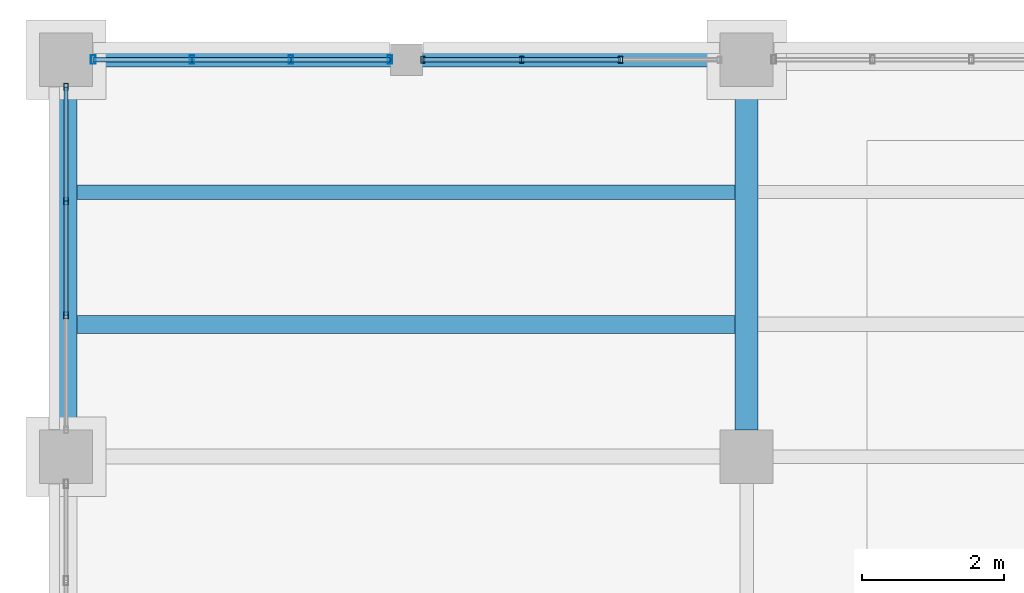
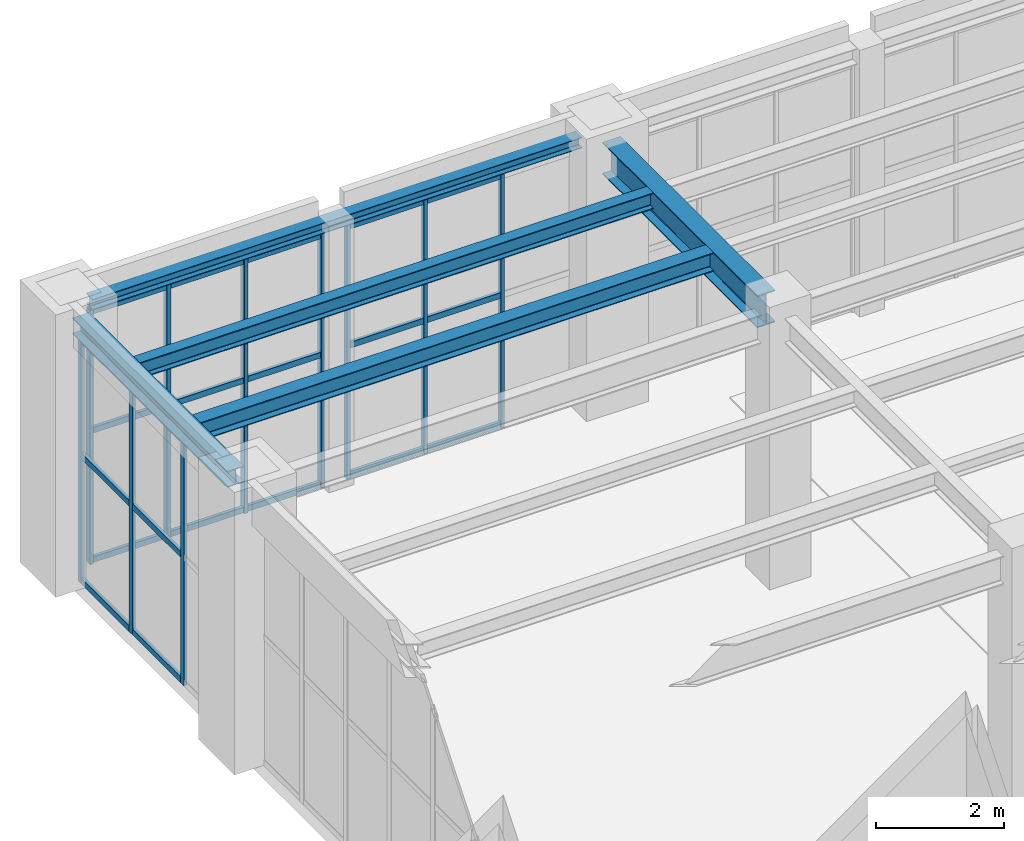
# One storey, part 75 of 164: 31 members, 5 beams, 3 elements without a shape of their own.
"""IFC4 building model written with IfcOpenShell, lengths in metres."""

from ifc_helpers import new_model, si_unit, direction, frame, origin, origin_2d, place, context, subcontext, project, spatial, hollow_rectangle, i_section, extrude, material, material_profile, profile_set, type_object, element, aggregate, save


model = new_model("IFC4")

# Units and contexts
model_context = context("Model", 3, precision=1e-05, world=origin(), true_north=direction((0.0, 1.0)))
body_context = subcontext(model_context, "Body", "Model", "MODEL_VIEW")
ifc_project = project(units=[si_unit("LENGTHUNIT", "METRE"), si_unit("AREAUNIT", "SQUARE_METRE"), si_unit("VOLUMEUNIT", "CUBIC_METRE"), si_unit("PLANEANGLEUNIT", "RADIAN"), si_unit("MASSUNIT", "GRAM", prefix="KILO")], contexts=[model_context])

# Site, building, storey
site_placement = place(None, origin())
site = spatial("IfcSite", under=ifc_project, at=site_placement, CompositionType="ELEMENT")
building_placement = place(site_placement, origin())
building = spatial("IfcBuilding", under=site, at=building_placement, Name="Mavantir Sound Aquarium", CompositionType="ELEMENT")
storey_placement = place(building_placement, origin())
storey = spatial("IfcBuildingStorey", under=building, at=storey_placement, Name="L00", CompositionType="ELEMENT", Elevation=0.0)

# Beams
ifc_material_1 = material(Name="Structural Steel ASTM A992 Gr50", Category="steel")
ifc_material_profile_1 = material_profile(ifc_material_1, i_section(OverallWidth=0.202880859375, OverallDepth=0.202880859375, WebThickness=0.007080078125, FlangeThickness=0.010986328125, FilletRadius=0.010009765625, at=origin_2d()), Name="W200X46")
ifc_profile_set_1 = profile_set([ifc_material_profile_1], Name="Structural Steel ASTM A992 Gr50")
beam_type_1 = type_object("IfcBeamType", Name="BM-W200X46-E", PredefinedType="LINTEL", material=ifc_profile_set_1)
beam_1_placement = place(storey_placement, frame((0.375, 116.0, 4.994384765625), z_axis=(1.0, 0.0, 0.0), x_axis=(0.0, 1.0, 0.0)))
element("IfcBeam", 1, at=beam_1_placement, inside=storey, type_object=beam_type_1, Name="L00 primary beam SL-20 1046", PredefinedType="LINTEL", context=body_context, shape_type="SweptSolid", body=[
    extrude(i_section(OverallWidth=0.202880859375, OverallDepth=0.202880859375, WebThickness=0.007080078125, FlangeThickness=0.010986328125, FilletRadius=0.010009765625, at=origin_2d()), origin(), (0.0, 0.0, 1.0), 8.85009765625),
])
ifc_material_profile_2 = material_profile(ifc_material_1, i_section(OverallWidth=0.205078125, OverallDepth=0.31005859375, WebThickness=0.009521484375, FlangeThickness=0.016357421875, FilletRadius=0.012939453125, at=origin_2d()), Name="W310X74")
ifc_profile_set_2 = profile_set([ifc_material_profile_2], Name="Structural Steel ASTM A992 Gr50")
beam_type_2 = type_object("IfcBeamType", Name="BM-W310X74-I", PredefinedType="JOIST", material=ifc_profile_set_2)
beam_2_placement = place(storey_placement, frame((0.152587890625, 114.13330078125, 4.94091796875), z_axis=(1.0, 0.0, 0.0), x_axis=(0.0, 1.0, 0.0)))
element("IfcBeam", 2, at=beam_2_placement, inside=storey, type_object=beam_type_2, Name="L00 secondary floor joist SJ-31 603", PredefinedType="JOIST", context=body_context, shape_type="SweptSolid", body=[
    extrude(i_section(OverallWidth=0.205078125, OverallDepth=0.31005859375, WebThickness=0.009521484375, FlangeThickness=0.016357421875, FilletRadius=0.012939453125, at=origin_2d()), origin(), (0.0, 0.0, 1.0), 9.285400390625),
])
ifc_material_profile_3 = material_profile(ifc_material_1, i_section(OverallWidth=0.304931640625, OverallDepth=0.30810546875, WebThickness=0.010009765625, FlangeThickness=0.015380859375, FilletRadius=0.014892578125, at=origin_2d()), Name="W310X97")
ifc_profile_set_3 = profile_set([ifc_material_profile_3], Name="Structural Steel ASTM A992 Gr50")
beam_type_3 = type_object("IfcBeamType", Name="BM-W310X97-E", PredefinedType="SPANDREL", material=ifc_profile_set_3)
beam_3_placement = place(storey_placement, frame((0.0, 110.77490234375, 4.94189453125), z_axis=(0.0, 1.0, 0.0), x_axis=(-1.0, 0.0, 0.0)))
element("IfcBeam", 3, at=beam_3_placement, inside=storey, type_object=beam_type_3, Name="L00 primary girder SS-31A 1053", PredefinedType="SPANDREL", context=body_context, shape_type="SweptSolid", body=[
    extrude(i_section(OverallWidth=0.304931640625, OverallDepth=0.30810546875, WebThickness=0.010009765625, FlangeThickness=0.015380859375, FilletRadius=0.014892578125, at=origin_2d()), origin(), (0.0, 0.0, 1.0), 4.85009765625),
])
ifc_material_profile_4 = material_profile(ifc_material_1, i_section(OverallWidth=0.25390625, OverallDepth=0.35302734375, WebThickness=0.009521484375, FlangeThickness=0.016357421875, FilletRadius=0.014892578125, at=origin_2d()), Name="W360X91")
ifc_profile_set_4 = profile_set([ifc_material_profile_4], Name="Structural Steel ASTM A992 Gr50")
beam_type_4 = type_object("IfcBeamType", Name="BM-W360X91-I", PredefinedType="JOIST", material=ifc_profile_set_4)
beam_4_placement = place(storey_placement, frame((0.152587890625, 112.2666015625, 4.91943359375), z_axis=(1.0, 0.0, 0.0), x_axis=(0.0, 1.0, 0.0)))
element("IfcBeam", 4, at=beam_4_placement, inside=storey, type_object=beam_type_4, Name="L00 secondary floor joist SJ-36 602", PredefinedType="JOIST", context=body_context, shape_type="SweptSolid", body=[
    extrude(i_section(OverallWidth=0.25390625, OverallDepth=0.35302734375, WebThickness=0.009521484375, FlangeThickness=0.016357421875, FilletRadius=0.014892578125, at=origin_2d()), origin(), (0.0, 0.0, 1.0), 9.285400390625),
])
ifc_material_profile_5 = material_profile(ifc_material_1, i_section(OverallWidth=0.323974609375, OverallDepth=0.611083984375, WebThickness=0.0126953125, FlangeThickness=0.01904296875, FilletRadius=0.01904296875, at=origin_2d()), Name="W610X155")
ifc_profile_set_5 = profile_set([ifc_material_profile_5], Name="Structural Steel ASTM A992 Gr50")
beam_type_5 = type_object("IfcBeamType", Name="BM-W610X155-I", PredefinedType="BEAM", material=ifc_profile_set_5)
beam_5_placement = place(storey_placement, frame((9.60009765625, 110.77490234375, 4.79052734375), z_axis=(0.0, 1.0, 0.0), x_axis=(-1.0, 0.0, 0.0)))
element("IfcBeam", 5, at=beam_5_placement, inside=storey, type_object=beam_type_5, Name="L00 primary girder SB-61A 1057", PredefinedType="BEAM", context=body_context, shape_type="SweptSolid", body=[
    extrude(i_section(OverallWidth=0.323974609375, OverallDepth=0.611083984375, WebThickness=0.0126953125, FlangeThickness=0.01904296875, FilletRadius=0.01904296875, at=origin_2d()), origin(), (0.0, 0.0, 1.0), 4.85009765625),
])

# Curtain wall, members
ifc_material_2 = material(Name="Anodised Marine Aluminium and Low-E Glass", Category="aluminium")
curtain_wall_type_1 = type_object("IfcCurtainWallType", Name="CW-T17", PredefinedType="USERDEFINED", material=ifc_material_2)
curtain_wall_1_placement = place(storey_placement, origin())
curtain_wall_1 = element("IfcCurtainWall", 6, at=curtain_wall_1_placement, inside=storey, type_object=curtain_wall_type_1, Name="L00 unitised curtain wall CW-17 41", ObjectType="UNITISED GLAZING", PredefinedType="USERDEFINED")
ifc_material_3 = material(Name="Anodised Marine Aluminium 6063-T6", Category="aluminium")
ifc_material_profile_6 = material_profile(ifc_material_3, hollow_rectangle(XDim=0.06005859375, YDim=0.10009765625, WallThickness=0.00390625, at=origin_2d()), Name="ALU-MULLION-100X60")
ifc_profile_set_6 = profile_set([ifc_material_profile_6], Name="Anodised Marine Aluminium 6063-T6")
member_type_1 = type_object("IfcMemberType", Name="CW-MUL-100", PredefinedType="MULLION", material=ifc_profile_set_6)
member_1_placement = place(storey_placement, frame((7.822265625, 116.0, 0.0), z_axis=(0.0, 0.0, 1.0), x_axis=(1.0, 0.0, 0.0)))
member_1 = element("IfcMember", 7, at=member_1_placement, type_object=member_type_1, Name="CW-L00-041 vertical mullion 2", PredefinedType="MULLION", context=body_context, shape_type="SweptSolid", body=[
    extrude(hollow_rectangle(XDim=0.06005859375, YDim=0.10009765625, WallThickness=0.00390625, at=origin_2d()), origin(), (0.0, 0.0, 1.0), 4.863037109375),
])
member_2_placement = place(storey_placement, frame((6.427734375, 116.0, 0.0), z_axis=(0.0, 0.0, 1.0), x_axis=(1.0, 0.0, 0.0)))
member_2 = element("IfcMember", 8, at=member_2_placement, type_object=member_type_1, Name="CW-L00-041 vertical mullion 3", PredefinedType="MULLION", context=body_context, shape_type="SweptSolid", body=[
    extrude(hollow_rectangle(XDim=0.06005859375, YDim=0.10009765625, WallThickness=0.00390625, at=origin_2d()), origin(), (0.0, 0.0, 1.0), 4.863037109375),
])
member_3_placement = place(storey_placement, frame((5.032958984375, 116.0, 0.0), z_axis=(0.0, 0.0, 1.0), x_axis=(1.0, 0.0, 0.0)))
member_3 = element("IfcMember", 9, at=member_3_placement, type_object=member_type_1, Name="CW-L00-041 vertical mullion 4", PredefinedType="MULLION", context=body_context, shape_type="SweptSolid", body=[
    extrude(hollow_rectangle(XDim=0.06005859375, YDim=0.10009765625, WallThickness=0.00390625, at=origin_2d()), origin(), (0.0, 0.0, 1.0), 4.863037109375),
])

curtain_wall_type_2 = type_object("IfcCurtainWallType", Name="CW-T19", PredefinedType="USERDEFINED", material=ifc_material_2)
curtain_wall_2_placement = place(storey_placement, origin())
curtain_wall_2 = element("IfcCurtainWall", 10, at=curtain_wall_2_placement, inside=storey, type_object=curtain_wall_type_2, Name="L00 unitised curtain wall CW-19 43", ObjectType="UNITISED GLAZING", PredefinedType="USERDEFINED")
member_4_placement = place(storey_placement, frame((0.0, 115.616943359375, 0.0), z_axis=(0.0, 0.0, 1.0), x_axis=(1.0, 0.0, 0.0)))
member_4 = element("IfcMember", 11, at=member_4_placement, type_object=member_type_1, Name="CW-L00-043 vertical mullion 1", PredefinedType="MULLION", context=body_context, shape_type="SweptSolid", body=[
    extrude(hollow_rectangle(XDim=0.06005859375, YDim=0.10009765625, WallThickness=0.00390625, at=origin_2d()), origin(), (0.0, 0.0, 1.0), 4.712890625),
])
member_5_placement = place(storey_placement, frame((0.0, 114.005615234375, 0.0), z_axis=(0.0, 0.0, 1.0), x_axis=(1.0, 0.0, 0.0)))
member_5 = element("IfcMember", 12, at=member_5_placement, type_object=member_type_1, Name="CW-L00-043 vertical mullion 2", PredefinedType="MULLION", context=body_context, shape_type="SweptSolid", body=[
    extrude(hollow_rectangle(XDim=0.06005859375, YDim=0.10009765625, WallThickness=0.00390625, at=origin_2d()), origin(), (0.0, 0.0, 1.0), 4.712890625),
])
member_6_placement = place(storey_placement, frame((0.0, 112.394287109375, 0.0), z_axis=(0.0, 0.0, 1.0), x_axis=(1.0, 0.0, 0.0)))
member_6 = element("IfcMember", 13, at=member_6_placement, type_object=member_type_1, Name="CW-L00-043 vertical mullion 3", PredefinedType="MULLION", context=body_context, shape_type="SweptSolid", body=[
    extrude(hollow_rectangle(XDim=0.06005859375, YDim=0.10009765625, WallThickness=0.00390625, at=origin_2d()), origin(), (0.0, 0.0, 1.0), 4.712890625),
])

curtain_wall_type_3 = type_object("IfcCurtainWallType", Name="CW-T18", PredefinedType="USERDEFINED", material=ifc_material_2)
curtain_wall_3_placement = place(storey_placement, origin())
curtain_wall_3 = element("IfcCurtainWall", 14, at=curtain_wall_3_placement, inside=storey, type_object=curtain_wall_type_3, Name="L00 unitised curtain wall CW-18 42", ObjectType="UNITISED GLAZING", PredefinedType="USERDEFINED")
ifc_material_profile_7 = material_profile(ifc_material_3, hollow_rectangle(XDim=0.06494140625, YDim=0.1201171875, WallThickness=0.00390625, at=origin_2d()), Name="ALU-MULLION-120X65")
ifc_profile_set_7 = profile_set([ifc_material_profile_7], Name="Anodised Marine Aluminium 6063-T6")
member_type_2 = type_object("IfcMemberType", Name="CW-MUL-120", PredefinedType="MULLION", material=ifc_profile_set_7)
member_7_placement = place(storey_placement, frame((4.56689453125, 116.0, 0.0), z_axis=(0.0, 0.0, 1.0), x_axis=(1.0, 0.0, 0.0)))
member_7 = element("IfcMember", 15, at=member_7_placement, type_object=member_type_2, Name="CW-L00-042 vertical mullion 1", PredefinedType="MULLION", context=body_context, shape_type="SweptSolid", body=[
    extrude(hollow_rectangle(XDim=0.06494140625, YDim=0.1201171875, WallThickness=0.00390625, at=origin_2d()), origin(), (0.0, 0.0, 1.0), 4.863037109375),
])
member_8_placement = place(storey_placement, frame((3.17236328125, 116.0, 0.0), z_axis=(0.0, 0.0, 1.0), x_axis=(1.0, 0.0, 0.0)))
member_8 = element("IfcMember", 16, at=member_8_placement, type_object=member_type_2, Name="CW-L00-042 vertical mullion 2", PredefinedType="MULLION", context=body_context, shape_type="SweptSolid", body=[
    extrude(hollow_rectangle(XDim=0.06494140625, YDim=0.1201171875, WallThickness=0.00390625, at=origin_2d()), origin(), (0.0, 0.0, 1.0), 4.863037109375),
])
member_9_placement = place(storey_placement, frame((1.777587890625, 116.0, 0.0), z_axis=(0.0, 0.0, 1.0), x_axis=(1.0, 0.0, 0.0)))
member_9 = element("IfcMember", 17, at=member_9_placement, type_object=member_type_2, Name="CW-L00-042 vertical mullion 3", PredefinedType="MULLION", context=body_context, shape_type="SweptSolid", body=[
    extrude(hollow_rectangle(XDim=0.06494140625, YDim=0.1201171875, WallThickness=0.00390625, at=origin_2d()), origin(), (0.0, 0.0, 1.0), 4.863037109375),
])
member_10_placement = place(storey_placement, frame((0.383056640625, 116.0, 0.0), z_axis=(0.0, 0.0, 1.0), x_axis=(1.0, 0.0, 0.0)))
member_10 = element("IfcMember", 18, at=member_10_placement, type_object=member_type_2, Name="CW-L00-042 vertical mullion 4", PredefinedType="MULLION", context=body_context, shape_type="SweptSolid", body=[
    extrude(hollow_rectangle(XDim=0.06494140625, YDim=0.1201171875, WallThickness=0.00390625, at=origin_2d()), origin(), (0.0, 0.0, 1.0), 4.863037109375),
])

# Member
ifc_material_profile_8 = material_profile(ifc_material_3, hollow_rectangle(XDim=0.06005859375, YDim=0.110107421875, WallThickness=0.00390625, at=origin_2d()), Name="ALU-TRANSOM-110X60")
ifc_profile_set_8 = profile_set([ifc_material_profile_8], Name="Anodised Marine Aluminium 6063-T6")
member_type_3 = type_object("IfcMemberType", Name="CW-TRN-110", PredefinedType="USERDEFINED", material=ifc_profile_set_8)
member_11_placement = place(storey_placement, frame((7.822265625, 116.0, 0.054931640625), z_axis=(-1.0, 0.0, 0.0), x_axis=(0.0, -1.0, 0.0)))
member_11 = element("IfcMember", 19, at=member_11_placement, type_object=member_type_3, Name="CW-L00-041 transom 2.1", ObjectType="TRANSOM", PredefinedType="USERDEFINED", context=body_context, shape_type="SweptSolid", body=[
    extrude(hollow_rectangle(XDim=0.06005859375, YDim=0.110107421875, WallThickness=0.00390625, at=origin_2d()), origin(), (0.0, 0.0, 1.0), 1.39453125),
])

member_12_placement = place(storey_placement, frame((7.822265625, 116.0, 2.52880859375), z_axis=(-1.0, 0.0, 0.0), x_axis=(0.0, -1.0, 0.0)))
member_12 = element("IfcMember", 20, at=member_12_placement, type_object=member_type_3, Name="CW-L00-041 transom 2.2", ObjectType="TRANSOM", PredefinedType="USERDEFINED", context=body_context, shape_type="SweptSolid", body=[
    extrude(hollow_rectangle(XDim=0.06005859375, YDim=0.110107421875, WallThickness=0.00390625, at=origin_2d()), origin(), (0.0, 0.0, 1.0), 1.39453125),
])

member_13_placement = place(storey_placement, frame((7.822265625, 116.0, 4.80810546875), z_axis=(-1.0, 0.0, 0.0), x_axis=(0.0, -1.0, 0.0)))
member_13 = element("IfcMember", 21, at=member_13_placement, type_object=member_type_3, Name="CW-L00-041 transom 2.3", ObjectType="TRANSOM", PredefinedType="USERDEFINED", context=body_context, shape_type="SweptSolid", body=[
    extrude(hollow_rectangle(XDim=0.06005859375, YDim=0.110107421875, WallThickness=0.00390625, at=origin_2d()), origin(), (0.0, 0.0, 1.0), 1.39453125),
])

member_14_placement = place(storey_placement, frame((6.427734375, 116.0, 0.054931640625), z_axis=(-1.0, 0.0, 0.0), x_axis=(0.0, -1.0, 0.0)))
member_14 = element("IfcMember", 22, at=member_14_placement, type_object=member_type_3, Name="CW-L00-041 transom 3.1", ObjectType="TRANSOM", PredefinedType="USERDEFINED", context=body_context, shape_type="SweptSolid", body=[
    extrude(hollow_rectangle(XDim=0.06005859375, YDim=0.110107421875, WallThickness=0.00390625, at=origin_2d()), origin(), (0.0, 0.0, 1.0), 1.394775390625),
])

member_15_placement = place(storey_placement, frame((6.427734375, 116.0, 2.52880859375), z_axis=(-1.0, 0.0, 0.0), x_axis=(0.0, -1.0, 0.0)))
member_15 = element("IfcMember", 23, at=member_15_placement, type_object=member_type_3, Name="CW-L00-041 transom 3.2", ObjectType="TRANSOM", PredefinedType="USERDEFINED", context=body_context, shape_type="SweptSolid", body=[
    extrude(hollow_rectangle(XDim=0.06005859375, YDim=0.110107421875, WallThickness=0.00390625, at=origin_2d()), origin(), (0.0, 0.0, 1.0), 1.394775390625),
])

member_16_placement = place(storey_placement, frame((6.427734375, 116.0, 4.80810546875), z_axis=(-1.0, 0.0, 0.0), x_axis=(0.0, -1.0, 0.0)))
member_16 = element("IfcMember", 24, at=member_16_placement, type_object=member_type_3, Name="CW-L00-041 transom 3.3", ObjectType="TRANSOM", PredefinedType="USERDEFINED", context=body_context, shape_type="SweptSolid", body=[
    extrude(hollow_rectangle(XDim=0.06005859375, YDim=0.110107421875, WallThickness=0.00390625, at=origin_2d()), origin(), (0.0, 0.0, 1.0), 1.394775390625),
])

aggregate(curtain_wall_1, [member_1, member_2, member_3, member_11, member_12, member_13, member_14, member_15, member_16])

member_17_placement = place(storey_placement, frame((4.56689453125, 116.0, 0.054931640625), z_axis=(-1.0, 0.0, 0.0), x_axis=(0.0, -1.0, 0.0)))
member_17 = element("IfcMember", 25, at=member_17_placement, type_object=member_type_3, Name="CW-L00-042 transom 1.1", ObjectType="TRANSOM", PredefinedType="USERDEFINED", context=body_context, shape_type="SweptSolid", body=[
    extrude(hollow_rectangle(XDim=0.06005859375, YDim=0.110107421875, WallThickness=0.00390625, at=origin_2d()), origin(), (0.0, 0.0, 1.0), 1.39453125),
])

member_18_placement = place(storey_placement, frame((4.56689453125, 116.0, 2.52880859375), z_axis=(-1.0, 0.0, 0.0), x_axis=(0.0, -1.0, 0.0)))
member_18 = element("IfcMember", 26, at=member_18_placement, type_object=member_type_3, Name="CW-L00-042 transom 1.2", ObjectType="TRANSOM", PredefinedType="USERDEFINED", context=body_context, shape_type="SweptSolid", body=[
    extrude(hollow_rectangle(XDim=0.06005859375, YDim=0.110107421875, WallThickness=0.00390625, at=origin_2d()), origin(), (0.0, 0.0, 1.0), 1.39453125),
])

member_19_placement = place(storey_placement, frame((4.56689453125, 116.0, 4.80810546875), z_axis=(-1.0, 0.0, 0.0), x_axis=(0.0, -1.0, 0.0)))
member_19 = element("IfcMember", 27, at=member_19_placement, type_object=member_type_3, Name="CW-L00-042 transom 1.3", ObjectType="TRANSOM", PredefinedType="USERDEFINED", context=body_context, shape_type="SweptSolid", body=[
    extrude(hollow_rectangle(XDim=0.06005859375, YDim=0.110107421875, WallThickness=0.00390625, at=origin_2d()), origin(), (0.0, 0.0, 1.0), 1.39453125),
])

member_20_placement = place(storey_placement, frame((3.17236328125, 116.0, 0.054931640625), z_axis=(-1.0, 0.0, 0.0), x_axis=(0.0, -1.0, 0.0)))
member_20 = element("IfcMember", 28, at=member_20_placement, type_object=member_type_3, Name="CW-L00-042 transom 2.1", ObjectType="TRANSOM", PredefinedType="USERDEFINED", context=body_context, shape_type="SweptSolid", body=[
    extrude(hollow_rectangle(XDim=0.06005859375, YDim=0.110107421875, WallThickness=0.00390625, at=origin_2d()), origin(), (0.0, 0.0, 1.0), 1.394775390625),
])

member_21_placement = place(storey_placement, frame((3.17236328125, 116.0, 2.52880859375), z_axis=(-1.0, 0.0, 0.0), x_axis=(0.0, -1.0, 0.0)))
member_21 = element("IfcMember", 29, at=member_21_placement, type_object=member_type_3, Name="CW-L00-042 transom 2.2", ObjectType="TRANSOM", PredefinedType="USERDEFINED", context=body_context, shape_type="SweptSolid", body=[
    extrude(hollow_rectangle(XDim=0.06005859375, YDim=0.110107421875, WallThickness=0.00390625, at=origin_2d()), origin(), (0.0, 0.0, 1.0), 1.394775390625),
])

member_22_placement = place(storey_placement, frame((3.17236328125, 116.0, 4.80810546875), z_axis=(-1.0, 0.0, 0.0), x_axis=(0.0, -1.0, 0.0)))
member_22 = element("IfcMember", 30, at=member_22_placement, type_object=member_type_3, Name="CW-L00-042 transom 2.3", ObjectType="TRANSOM", PredefinedType="USERDEFINED", context=body_context, shape_type="SweptSolid", body=[
    extrude(hollow_rectangle(XDim=0.06005859375, YDim=0.110107421875, WallThickness=0.00390625, at=origin_2d()), origin(), (0.0, 0.0, 1.0), 1.394775390625),
])

member_23_placement = place(storey_placement, frame((1.777587890625, 116.0, 0.054931640625), z_axis=(-1.0, 0.0, 0.0), x_axis=(0.0, -1.0, 0.0)))
member_23 = element("IfcMember", 31, at=member_23_placement, type_object=member_type_3, Name="CW-L00-042 transom 3.1", ObjectType="TRANSOM", PredefinedType="USERDEFINED", context=body_context, shape_type="SweptSolid", body=[
    extrude(hollow_rectangle(XDim=0.06005859375, YDim=0.110107421875, WallThickness=0.00390625, at=origin_2d()), origin(), (0.0, 0.0, 1.0), 1.39453125),
])

member_24_placement = place(storey_placement, frame((1.777587890625, 116.0, 2.52880859375), z_axis=(-1.0, 0.0, 0.0), x_axis=(0.0, -1.0, 0.0)))
member_24 = element("IfcMember", 32, at=member_24_placement, type_object=member_type_3, Name="CW-L00-042 transom 3.2", ObjectType="TRANSOM", PredefinedType="USERDEFINED", context=body_context, shape_type="SweptSolid", body=[
    extrude(hollow_rectangle(XDim=0.06005859375, YDim=0.110107421875, WallThickness=0.00390625, at=origin_2d()), origin(), (0.0, 0.0, 1.0), 1.39453125),
])

member_25_placement = place(storey_placement, frame((1.777587890625, 116.0, 4.80810546875), z_axis=(-1.0, 0.0, 0.0), x_axis=(0.0, -1.0, 0.0)))
member_25 = element("IfcMember", 33, at=member_25_placement, type_object=member_type_3, Name="CW-L00-042 transom 3.3", ObjectType="TRANSOM", PredefinedType="USERDEFINED", context=body_context, shape_type="SweptSolid", body=[
    extrude(hollow_rectangle(XDim=0.06005859375, YDim=0.110107421875, WallThickness=0.00390625, at=origin_2d()), origin(), (0.0, 0.0, 1.0), 1.39453125),
])

aggregate(curtain_wall_3, [member_7, member_8, member_9, member_10, member_17, member_18, member_19, member_20, member_21, member_22, member_23, member_24, member_25])

member_26_placement = place(storey_placement, frame((0.0, 115.616943359375, 0.054931640625), z_axis=(0.0, -1.0, 0.0), x_axis=(1.0, 0.0, 0.0)))
member_26 = element("IfcMember", 34, at=member_26_placement, type_object=member_type_3, Name="CW-L00-043 transom 1.1", ObjectType="TRANSOM", PredefinedType="USERDEFINED", context=body_context, shape_type="SweptSolid", body=[
    extrude(hollow_rectangle(XDim=0.06005859375, YDim=0.110107421875, WallThickness=0.00390625, at=origin_2d()), origin(), (0.0, 0.0, 1.0), 1.611328125),
])

member_27_placement = place(storey_placement, frame((0.0, 115.616943359375, 2.45068359375), z_axis=(0.0, -1.0, 0.0), x_axis=(1.0, 0.0, 0.0)))
member_27 = element("IfcMember", 35, at=member_27_placement, type_object=member_type_3, Name="CW-L00-043 transom 1.2", ObjectType="TRANSOM", PredefinedType="USERDEFINED", context=body_context, shape_type="SweptSolid", body=[
    extrude(hollow_rectangle(XDim=0.06005859375, YDim=0.110107421875, WallThickness=0.00390625, at=origin_2d()), origin(), (0.0, 0.0, 1.0), 1.611328125),
])

member_28_placement = place(storey_placement, frame((0.0, 115.616943359375, 4.657958984375), z_axis=(0.0, -1.0, 0.0), x_axis=(1.0, 0.0, 0.0)))
member_28 = element("IfcMember", 36, at=member_28_placement, type_object=member_type_3, Name="CW-L00-043 transom 1.3", ObjectType="TRANSOM", PredefinedType="USERDEFINED", context=body_context, shape_type="SweptSolid", body=[
    extrude(hollow_rectangle(XDim=0.06005859375, YDim=0.110107421875, WallThickness=0.00390625, at=origin_2d()), origin(), (0.0, 0.0, 1.0), 1.611328125),
])

member_29_placement = place(storey_placement, frame((0.0, 114.005615234375, 0.054931640625), z_axis=(0.0, -1.0, 0.0), x_axis=(1.0, 0.0, 0.0)))
member_29 = element("IfcMember", 37, at=member_29_placement, type_object=member_type_3, Name="CW-L00-043 transom 2.1", ObjectType="TRANSOM", PredefinedType="USERDEFINED", context=body_context, shape_type="SweptSolid", body=[
    extrude(hollow_rectangle(XDim=0.06005859375, YDim=0.110107421875, WallThickness=0.00390625, at=origin_2d()), origin(), (0.0, 0.0, 1.0), 1.611328125),
])

member_30_placement = place(storey_placement, frame((0.0, 114.005615234375, 2.45068359375), z_axis=(0.0, -1.0, 0.0), x_axis=(1.0, 0.0, 0.0)))
member_30 = element("IfcMember", 38, at=member_30_placement, type_object=member_type_3, Name="CW-L00-043 transom 2.2", ObjectType="TRANSOM", PredefinedType="USERDEFINED", context=body_context, shape_type="SweptSolid", body=[
    extrude(hollow_rectangle(XDim=0.06005859375, YDim=0.110107421875, WallThickness=0.00390625, at=origin_2d()), origin(), (0.0, 0.0, 1.0), 1.611328125),
])

member_31_placement = place(storey_placement, frame((0.0, 114.005615234375, 4.657958984375), z_axis=(0.0, -1.0, 0.0), x_axis=(1.0, 0.0, 0.0)))
member_31 = element("IfcMember", 39, at=member_31_placement, type_object=member_type_3, Name="CW-L00-043 transom 2.3", ObjectType="TRANSOM", PredefinedType="USERDEFINED", context=body_context, shape_type="SweptSolid", body=[
    extrude(hollow_rectangle(XDim=0.06005859375, YDim=0.110107421875, WallThickness=0.00390625, at=origin_2d()), origin(), (0.0, 0.0, 1.0), 1.611328125),
])

aggregate(curtain_wall_2, [member_4, member_5, member_6, member_26, member_27, member_28, member_29, member_30, member_31])

save(model, "model.ifc")
